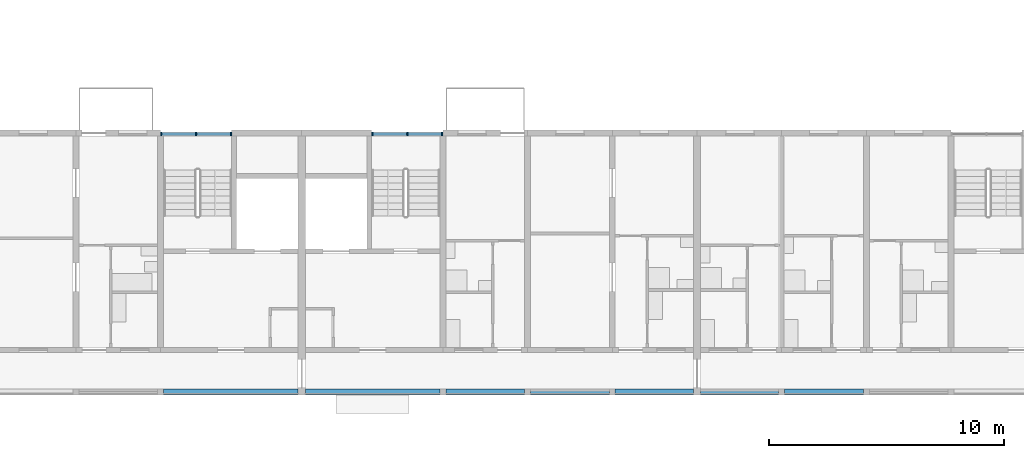
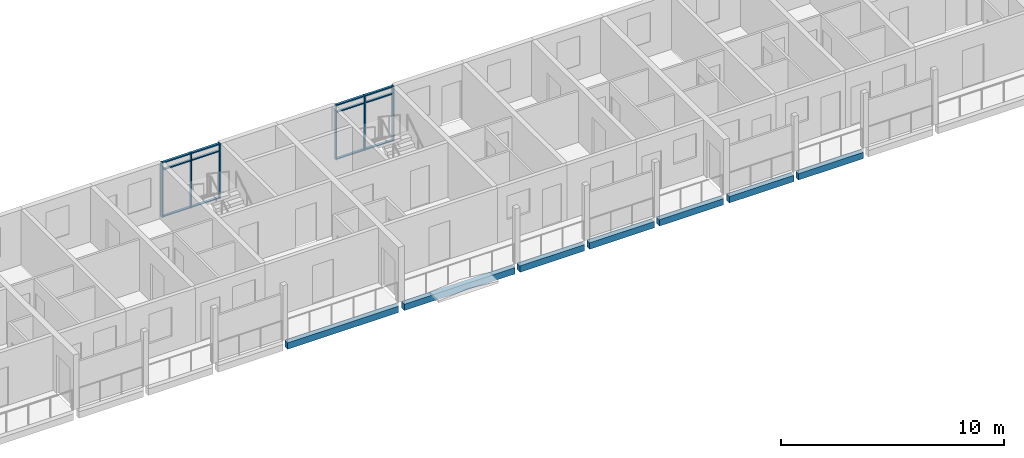
# One storey, part 6 of 100: 18 members, 7 beams, 2 elements without a shape of their own.
"""IFC4 building model written with IfcOpenShell, lengths in metres."""

import ifcopenshell
import ifcopenshell.guid

model = None  # the IFC model being written
_history = None  # IfcOwnerHistory: only IFC2X3 demands one
_inside = {}  # id of a spatial element -> (the spatial element, [elements in it])
_under = {}  # id of a project, library or spatial element -> (it, [spatial elements below it])
_declared = {}  # id of a project -> (the project, [libraries it declares])
_typed = {}  # id of a type object -> (the type object, [elements of that type])
_made_of = {}  # id of a material, layer set ... -> (it, [elements and type objects made of it])


def new_model(schema):
    """Start an empty IFC model of exactly this schema.

    Asked for "IFC4X3", IfcOpenShell would pick the latest addendum, in which some entities
    have other attributes; the version numbers below select the first issue.
    IFC2X3 requires an IfcOwnerHistory on every rooted entity: one is made here for all.
    """
    global model, _history
    if schema == "IFC4X3":
        model = ifcopenshell.file(schema_version=(4, 3, 0, 0))
    else:
        model = ifcopenshell.file(schema=schema)
    _inside.clear()
    _under.clear()
    _declared.clear()
    _typed.clear()
    _made_of.clear()
    _history = None
    if model.schema == "IFC2X3":
        org = make("IfcOrganization", Name="unknown")
        user = make(
            "IfcPersonAndOrganization",
            ThePerson=make("IfcPerson", FamilyName="unknown"),
            TheOrganization=org,
        )
        app = make(
            "IfcApplication",
            ApplicationDeveloper=org,
            Version="unknown",
            ApplicationFullName="unknown",
            ApplicationIdentifier="unknown",
        )
        _history = make(
            "IfcOwnerHistory",
            OwningUser=user,
            OwningApplication=app,
            ChangeAction="ADDED",
            CreationDate=0,
        )
    return model


def make(cls, **values):
    """One entity of the class cls with the attributes given. An attribute that is None is left unset."""
    return model.create_entity(
        cls, **{name: value for name, value in values.items() if value is not None}
    )


def rooted(cls, **values):
    """An entity with a GlobalId (a new one), such as an element, a storey or a relation."""
    return make(cls, GlobalId=ifcopenshell.guid.new(), OwnerHistory=_history, **values)


def si_unit(unit_type, name, prefix=None):
    """IfcSIUnit, for example si_unit("LENGTHUNIT", "METRE", prefix="MILLI")."""
    return make("IfcSIUnit", UnitType=unit_type, Prefix=prefix, Name=name)


def assignment(units):
    """IfcUnitAssignment: the units of a project."""
    return None if units is None else make("IfcUnitAssignment", Units=units)


def point(xyz):
    """IfcCartesianPoint."""
    return None if xyz is None else make("IfcCartesianPoint", Coordinates=xyz)


def direction(xyz):
    """IfcDirection."""
    return None if xyz is None else make("IfcDirection", DirectionRatios=xyz)


def frame(location, z_axis=None, x_axis=None):
    """IfcAxis2Placement3D, a coordinate frame: its origin and axes. An axis left out is left unset."""
    return make(
        "IfcAxis2Placement3D",
        Location=point(location),
        Axis=direction(z_axis),
        RefDirection=direction(x_axis),
    )


def frame_2d(location, x_axis=None):
    """IfcAxis2Placement2D, a coordinate frame in the plane: its origin and x axis."""
    return make(
        "IfcAxis2Placement2D", Location=point(location), RefDirection=direction(x_axis)
    )


def origin():
    """The frame at (0, 0, 0) with its axes left unset."""
    return frame((0.0, 0.0, 0.0))


def origin_2d():
    """The frame at (0, 0) in the plane with its x axis left unset."""
    return frame_2d((0.0, 0.0))


def place(relative_to, where):
    """IfcLocalPlacement: puts the frame where relative to a parent placement (None: the world)."""
    return make(
        "IfcLocalPlacement", PlacementRelTo=relative_to, RelativePlacement=where
    )


def context(
    kind, dimensions, precision=None, world=None, true_north=None, identifier=None
):
    """IfcGeometricRepresentationContext, for example the 3D "Model" context."""
    return make(
        "IfcGeometricRepresentationContext",
        ContextIdentifier=identifier,
        ContextType=kind,
        CoordinateSpaceDimension=dimensions,
        Precision=precision,
        WorldCoordinateSystem=world,
        TrueNorth=true_north,
    )


def subcontext(parent, identifier, kind, view, scale=None):
    """IfcGeometricRepresentationSubContext, for example "Body" below "Model"."""
    return make(
        "IfcGeometricRepresentationSubContext",
        ContextIdentifier=identifier,
        ContextType=kind,
        ParentContext=parent,
        TargetScale=scale,
        TargetView=view,
    )


def project(units=None, contexts=None):
    """IfcProject with its units and contexts."""
    return rooted(
        "IfcProject",
        Name="project",
        RepresentationContexts=contexts,
        UnitsInContext=assignment(units),
    )


def spatial(cls, under=None, at=None, **own):
    """A site, building, storey or space (cls), placed at a placement, below another one or the project."""
    s = rooted(cls, ObjectPlacement=at, **own)
    if under is not None:
        _under.setdefault(under.id(), (under, []))[1].append(s)
    return s


def profile(cls, at=None, kind="AREA", **sizes):
    """A parametric profile (cls). Its sizes go by their IFC names, for example OverallWidth=200.0."""
    return make(cls, ProfileType=kind, Position=at, **sizes)


def rectangle(**sizes):
    """IfcRectangleProfileDef."""
    return profile("IfcRectangleProfileDef", **sizes)


def extrude(swept, where, along, depth):
    """IfcExtrudedAreaSolid: the profile swept, set in the frame where, extruded along a direction by depth."""
    return make(
        "IfcExtrudedAreaSolid",
        SweptArea=swept,
        Position=where,
        ExtrudedDirection=direction(along),
        Depth=depth,
    )


def shape(context_of_items, identifier, shape_type, items):
    """IfcShapeRepresentation: the items that make up one representation, for example the "Body"."""
    return make(
        "IfcShapeRepresentation",
        ContextOfItems=context_of_items,
        RepresentationIdentifier=identifier,
        RepresentationType=shape_type,
        Items=items,
    )


def material(Name=None, Category=None):
    """IfcMaterial."""
    return make("IfcMaterial", Name=Name, Category=Category)


def material_profile(
    of_material, cross_section, Name=None, Category=None, Priority=None
):
    """IfcMaterialProfile: a cross section and its material."""
    return make(
        "IfcMaterialProfile",
        Name=Name,
        Material=of_material,
        Profile=cross_section,
        Priority=Priority,
        Category=Category,
    )


def profile_set(profiles, Name=None, composite=None):
    """IfcMaterialProfileSet."""
    return make(
        "IfcMaterialProfileSet",
        Name=Name,
        MaterialProfiles=profiles,
        CompositeProfile=composite,
    )


def made_of(thing, what):
    """Note that an element or type object is made of a material, layer set ...; save() writes the relation."""
    if what is not None:
        _made_of.setdefault(what.id(), (what, []))[1].append(thing)
    return thing


def type_object(cls, material=None, **own):
    """A type object (cls), such as IfcWallType, which elements share."""
    return made_of(rooted(cls, **own), material)


def element(
    cls,
    number,
    at=None,
    inside=None,
    cuts=None,
    type_object=None,
    material=None,
    context=None,
    identifier="Body",
    shape_type=None,
    held_by="IfcProductDefinitionShape",
    body=None,
    shapes=None,
    **own,
):
    """One element of the class cls, such as IfcWall. Its Tag is "e" and its number.

    at: its placement. inside: the storey or other place that contains it. cuts: it is an
    opening in that element (IfcRelVoidsElement). A single representation is given by context,
    identifier, shape_type and body (its items); several are given by shapes. held_by: the class
    of the entity that holds the representations. save() writes the other relations.
    """
    e = rooted(cls, Tag="e%d" % number, ObjectPlacement=at, **own)
    if body is not None:
        shapes = [shape(context, identifier, shape_type, body)]
    if shapes is not None:
        e.Representation = make(held_by, Representations=shapes)
    if inside is not None:
        _inside.setdefault(inside.id(), (inside, []))[1].append(e)
    if cuts is not None:
        rooted(
            "IfcRelVoidsElement", RelatingBuildingElement=cuts, RelatedOpeningElement=e
        )
    if type_object is not None:
        _typed.setdefault(type_object.id(), (type_object, []))[1].append(e)
    return made_of(e, material)


def aggregate(whole, parts):
    """IfcRelAggregates: a whole, such as a stair, and the parts it consists of."""
    return rooted("IfcRelAggregates", RelatingObject=whole, RelatedObjects=parts)


def save(model, path):
    """Write the relations noted so far, then the file.

    IfcRelAggregates (storeys below a building ...), IfcRelContainedInSpatialStructure (elements
    in a storey), IfcRelDefinesByType, IfcRelAssociatesMaterial and IfcRelDeclares: one each for
    every whole, place, type object, material and project.
    """
    for whole, parts in _under.values():
        aggregate(whole, parts)
    for where, things in _inside.values():
        rooted(
            "IfcRelContainedInSpatialStructure",
            RelatedElements=things,
            RelatingStructure=where,
        )
    for kind, things in _typed.values():
        rooted("IfcRelDefinesByType", RelatedObjects=things, RelatingType=kind)
    for what, things in _made_of.values():
        rooted("IfcRelAssociatesMaterial", RelatedObjects=things, RelatingMaterial=what)
    for by, libraries in _declared.values():
        rooted("IfcRelDeclares", RelatingContext=by, RelatedDefinitions=libraries)
    model.write(path)


model = new_model("IFC4")

# Units and contexts
model_context = context("Model", 3, precision=1e-05, world=origin(), true_north=direction((0.0, 1.0)))
body_context = subcontext(model_context, "Body", "Model", "MODEL_VIEW")
ifc_project = project(units=[si_unit("LENGTHUNIT", "METRE"), si_unit("AREAUNIT", "SQUARE_METRE"), si_unit("VOLUMEUNIT", "CUBIC_METRE"), si_unit("PLANEANGLEUNIT", "RADIAN"), si_unit("MASSUNIT", "GRAM", prefix="KILO")], contexts=[model_context])

# Site, building, storey
site_placement = place(None, origin())
site = spatial("IfcSite", under=ifc_project, at=site_placement, CompositionType="ELEMENT")
building_placement = place(site_placement, origin())
building = spatial("IfcBuilding", under=site, at=building_placement, Name="Ridgestep Commons", CompositionType="ELEMENT")
storey_placement = place(building_placement, frame((0.0, 0.0, 9.0)))
storey = spatial("IfcBuildingStorey", under=building, at=storey_placement, Name="L03", CompositionType="ELEMENT", Elevation=9.0)

# Beams
ifc_material_1 = material(Name="Precast concrete C40/50", Category="concrete")
ifc_material_profile_1 = material_profile(ifc_material_1, rectangle(XDim=0.25, YDim=0.35009765625, at=origin_2d()), Name="PC 250x350")
ifc_profile_set_1 = profile_set([ifc_material_profile_1], Name="Precast concrete C40/50")
beam_type = type_object("IfcBeamType", Name="Loggia edge beam 250 x 350", PredefinedType="SPANDREL", material=ifc_profile_set_1)
beam_1_placement = place(storey_placement, frame((39.72509765625, 11.875, -0.375), z_axis=(1.0, 0.0, 0.0), x_axis=(0.0, 1.0, 0.0)))
element("IfcBeam", 1, at=beam_1_placement, inside=storey, type_object=beam_type, Name="Loggia edge beam A2C L03", PredefinedType="SPANDREL", context=body_context, shape_type="SweptSolid", body=[
    extrude(rectangle(XDim=0.25, YDim=0.35009765625, at=origin_2d()), origin(), (0.0, 0.0, 1.0), 5.724853515625),
])
beam_2_placement = place(storey_placement, frame((45.75, 11.875, -0.375), z_axis=(1.0, 0.0, 0.0), x_axis=(0.0, 1.0, 0.0)))
element("IfcBeam", 2, at=beam_2_placement, inside=storey, type_object=beam_type, Name="Loggia edge beam A3C L03", PredefinedType="SPANDREL", context=body_context, shape_type="SweptSolid", body=[
    extrude(rectangle(XDim=0.25, YDim=0.35009765625, at=origin_2d()), origin(), (0.0, 0.0, 1.0), 5.72509765625),
])
beam_3_placement = place(storey_placement, frame((51.72509765625, 11.875, -0.375), z_axis=(1.0, 0.0, 0.0), x_axis=(0.0, 1.0, 0.0)))
element("IfcBeam", 3, at=beam_3_placement, inside=storey, type_object=beam_type, Name="Loggia edge beam A3T3 L03", PredefinedType="SPANDREL", context=body_context, shape_type="SweptSolid", body=[
    extrude(rectangle(XDim=0.25, YDim=0.35009765625, at=origin_2d()), origin(), (0.0, 0.0, 1.0), 3.349853515625),
])
beam_4_placement = place(storey_placement, frame((55.324951171875, 11.875, -0.375), z_axis=(1.0, 0.0, 0.0), x_axis=(0.0, 1.0, 0.0)))
element("IfcBeam", 4, at=beam_4_placement, inside=storey, type_object=beam_type, Name="Loggia edge beam A3T2 L03", PredefinedType="SPANDREL", context=body_context, shape_type="SweptSolid", body=[
    extrude(rectangle(XDim=0.25, YDim=0.35009765625, at=origin_2d()), origin(), (0.0, 0.0, 1.0), 3.35009765625),
])
for number, where, z_axis, x_axis, name in (
    (5, (58.925048828125, 11.875, -0.375), (1.0, 0.0, 0.0), (0.0, 1.0, 0.0), "Loggia edge beam A3T1 L03"),
    (6, (62.550048828125, 11.875, -0.375), (1.0, 0.0, 0.0), (0.0, 1.0, 0.0), "Loggia edge beam A4T1 L03"),
):
    element("IfcBeam", number, at=place(storey_placement, frame(where, z_axis=z_axis, x_axis=x_axis)), inside=storey, type_object=beam_type, Name=name, PredefinedType="SPANDREL", context=body_context, shape_type="SweptSolid", body=[
        extrude(rectangle(XDim=0.25, YDim=0.35009765625, at=origin_2d()), origin(), (0.0, 0.0, 1.0), 3.324951171875),
    ])
beam_5_placement = place(storey_placement, frame((66.125, 11.875, -0.375), z_axis=(1.0, 0.0, 0.0), x_axis=(0.0, 1.0, 0.0)))
element("IfcBeam", 7, at=beam_5_placement, inside=storey, type_object=beam_type, Name="Loggia edge beam A4T2 L03", PredefinedType="SPANDREL", context=body_context, shape_type="SweptSolid", body=[
    extrude(rectangle(XDim=0.25, YDim=0.35009765625, at=origin_2d()), origin(), (0.0, 0.0, 1.0), 3.35009765625),
])

# Curtain wall, members
ifc_material_2 = material(Name="Aluminium 6063-T6 and glass", Category="aluminium")
curtain_wall_type = type_object("IfcCurtainWallType", Name="Curtain wall stair strip", PredefinedType="NOTDEFINED", material=ifc_material_2)
curtain_wall_1_placement = place(storey_placement, origin())
curtain_wall_1 = element("IfcCurtainWall", 8, at=curtain_wall_1_placement, inside=storey, type_object=curtain_wall_type, Name="Curtain wall A2C level 03", PredefinedType="NOTDEFINED")
ifc_material_3 = material(Name="Aluminium 6063-T6", Category="aluminium")
ifc_material_profile_2 = material_profile(ifc_material_3, rectangle(XDim=0.159912109375, YDim=0.06005859375, at=origin_2d()), Name="Mullion 60 x 160")
ifc_profile_set_2 = profile_set([ifc_material_profile_2], Name="Aluminium 6063-T6")
member_type_1 = type_object("IfcMemberType", Name="Mullion 60 x 160", PredefinedType="MULLION", material=ifc_profile_set_2)
member_1_placement = place(storey_placement, frame((39.6298828125, 22.830078125, 0.0), z_axis=(0.0, 0.0, 1.0), x_axis=(0.0, 1.0, 0.0)))
member_1 = element("IfcMember", 9, at=member_1_placement, type_object=member_type_1, Name="CW1 mullion 1", PredefinedType="MULLION", context=body_context, shape_type="SweptSolid", body=[
    extrude(rectangle(XDim=0.159912109375, YDim=0.06005859375, at=origin_2d()), origin(), (0.0, 0.0, 1.0), 3.0),
])
member_2_placement = place(storey_placement, frame((41.112548828125, 22.830078125, 0.0), z_axis=(0.0, 0.0, 1.0), x_axis=(0.0, 1.0, 0.0)))
member_2 = element("IfcMember", 10, at=member_2_placement, type_object=member_type_1, Name="CW1 mullion 2", PredefinedType="MULLION", context=body_context, shape_type="SweptSolid", body=[
    extrude(rectangle(XDim=0.159912109375, YDim=0.06005859375, at=origin_2d()), origin(), (0.0, 0.0, 1.0), 3.0),
])
member_3_placement = place(storey_placement, frame((42.594970703125, 22.830078125, 0.0), z_axis=(0.0, 0.0, 1.0), x_axis=(0.0, 1.0, 0.0)))
member_3 = element("IfcMember", 11, at=member_3_placement, type_object=member_type_1, Name="CW1 mullion 3", PredefinedType="MULLION", context=body_context, shape_type="SweptSolid", body=[
    extrude(rectangle(XDim=0.159912109375, YDim=0.06005859375, at=origin_2d()), origin(), (0.0, 0.0, 1.0), 3.0),
])

curtain_wall_2_placement = place(storey_placement, origin())
curtain_wall_2 = element("IfcCurtainWall", 12, at=curtain_wall_2_placement, inside=storey, type_object=curtain_wall_type, Name="Curtain wall A3C level 03", PredefinedType="NOTDEFINED")
member_4_placement = place(storey_placement, frame((48.60498046875, 22.830078125, 0.0), z_axis=(0.0, 0.0, 1.0), x_axis=(0.0, 1.0, 0.0)))
member_4 = element("IfcMember", 13, at=member_4_placement, type_object=member_type_1, Name="CW1 mullion 1", PredefinedType="MULLION", context=body_context, shape_type="SweptSolid", body=[
    extrude(rectangle(XDim=0.159912109375, YDim=0.06005859375, at=origin_2d()), origin(), (0.0, 0.0, 1.0), 3.0),
])
member_5_placement = place(storey_placement, frame((50.08740234375, 22.830078125, 0.0), z_axis=(0.0, 0.0, 1.0), x_axis=(0.0, 1.0, 0.0)))
member_5 = element("IfcMember", 14, at=member_5_placement, type_object=member_type_1, Name="CW1 mullion 2", PredefinedType="MULLION", context=body_context, shape_type="SweptSolid", body=[
    extrude(rectangle(XDim=0.159912109375, YDim=0.06005859375, at=origin_2d()), origin(), (0.0, 0.0, 1.0), 3.0),
])
member_6_placement = place(storey_placement, frame((51.570068359375, 22.830078125, 0.0), z_axis=(0.0, 0.0, 1.0), x_axis=(0.0, 1.0, 0.0)))
member_6 = element("IfcMember", 15, at=member_6_placement, type_object=member_type_1, Name="CW1 mullion 3", PredefinedType="MULLION", context=body_context, shape_type="SweptSolid", body=[
    extrude(rectangle(XDim=0.159912109375, YDim=0.06005859375, at=origin_2d()), origin(), (0.0, 0.0, 1.0), 3.0),
])

# Member
ifc_material_4 = material(Name="Aluminium 6063-T6", Category="aluminium")
ifc_material_profile_3 = material_profile(ifc_material_4, rectangle(XDim=0.1201171875, YDim=0.06005859375, at=origin_2d()), Name="Transom 60 x 120")
ifc_profile_set_3 = profile_set([ifc_material_profile_3], Name="Aluminium 6063-T6")
member_type_2 = type_object("IfcMemberType", Name="Transom 60 x 120", PredefinedType="USERDEFINED", material=ifc_profile_set_3)
member_7_placement = place(storey_placement, frame((39.659912109375, 22.830078125, 0.030029296875), z_axis=(1.0, 0.0, 0.0), x_axis=(0.0, 1.0, 0.0)))
member_7 = element("IfcMember", 16, at=member_7_placement, type_object=member_type_2, Name="CW1 transom 1.1", ObjectType="TRANSOM", PredefinedType="USERDEFINED", context=body_context, shape_type="SweptSolid", body=[
    extrude(rectangle(XDim=0.1201171875, YDim=0.06005859375, at=origin_2d()), origin(), (0.0, 0.0, 1.0), 1.422607421875),
])

member_8_placement = place(storey_placement, frame((39.659912109375, 22.830078125, 2.590087890625), z_axis=(1.0, 0.0, 0.0), x_axis=(0.0, 1.0, 0.0)))
member_8 = element("IfcMember", 17, at=member_8_placement, type_object=member_type_2, Name="CW1 transom 1.2", ObjectType="TRANSOM", PredefinedType="USERDEFINED", context=body_context, shape_type="SweptSolid", body=[
    extrude(rectangle(XDim=0.1201171875, YDim=0.06005859375, at=origin_2d()), origin(), (0.0, 0.0, 1.0), 1.422607421875),
])

member_9_placement = place(storey_placement, frame((39.659912109375, 22.830078125, 2.969970703125), z_axis=(1.0, 0.0, 0.0), x_axis=(0.0, 1.0, 0.0)))
member_9 = element("IfcMember", 18, at=member_9_placement, type_object=member_type_2, Name="CW1 transom 1.3", ObjectType="TRANSOM", PredefinedType="USERDEFINED", context=body_context, shape_type="SweptSolid", body=[
    extrude(rectangle(XDim=0.1201171875, YDim=0.06005859375, at=origin_2d()), origin(), (0.0, 0.0, 1.0), 1.422607421875),
])

member_10_placement = place(storey_placement, frame((41.142578125, 22.830078125, 0.030029296875), z_axis=(1.0, 0.0, 0.0), x_axis=(0.0, 1.0, 0.0)))
member_10 = element("IfcMember", 19, at=member_10_placement, type_object=member_type_2, Name="CW1 transom 2.1", ObjectType="TRANSOM", PredefinedType="USERDEFINED", context=body_context, shape_type="SweptSolid", body=[
    extrude(rectangle(XDim=0.1201171875, YDim=0.06005859375, at=origin_2d()), origin(), (0.0, 0.0, 1.0), 1.42236328125),
])

member_11_placement = place(storey_placement, frame((41.142578125, 22.830078125, 2.590087890625), z_axis=(1.0, 0.0, 0.0), x_axis=(0.0, 1.0, 0.0)))
member_11 = element("IfcMember", 20, at=member_11_placement, type_object=member_type_2, Name="CW1 transom 2.2", ObjectType="TRANSOM", PredefinedType="USERDEFINED", context=body_context, shape_type="SweptSolid", body=[
    extrude(rectangle(XDim=0.1201171875, YDim=0.06005859375, at=origin_2d()), origin(), (0.0, 0.0, 1.0), 1.42236328125),
])

member_12_placement = place(storey_placement, frame((41.142578125, 22.830078125, 2.969970703125), z_axis=(1.0, 0.0, 0.0), x_axis=(0.0, 1.0, 0.0)))
member_12 = element("IfcMember", 21, at=member_12_placement, type_object=member_type_2, Name="CW1 transom 2.3", ObjectType="TRANSOM", PredefinedType="USERDEFINED", context=body_context, shape_type="SweptSolid", body=[
    extrude(rectangle(XDim=0.1201171875, YDim=0.06005859375, at=origin_2d()), origin(), (0.0, 0.0, 1.0), 1.42236328125),
])

aggregate(curtain_wall_1, [member_1, member_2, member_3, member_7, member_8, member_9, member_10, member_11, member_12])

member_13_placement = place(storey_placement, frame((48.635009765625, 22.830078125, 0.030029296875), z_axis=(1.0, 0.0, 0.0), x_axis=(0.0, 1.0, 0.0)))
member_13 = element("IfcMember", 22, at=member_13_placement, type_object=member_type_2, Name="CW1 transom 1.1", ObjectType="TRANSOM", PredefinedType="USERDEFINED", context=body_context, shape_type="SweptSolid", body=[
    extrude(rectangle(XDim=0.1201171875, YDim=0.06005859375, at=origin_2d()), origin(), (0.0, 0.0, 1.0), 1.422607421875),
])

member_14_placement = place(storey_placement, frame((48.635009765625, 22.830078125, 2.590087890625), z_axis=(1.0, 0.0, 0.0), x_axis=(0.0, 1.0, 0.0)))
member_14 = element("IfcMember", 23, at=member_14_placement, type_object=member_type_2, Name="CW1 transom 1.2", ObjectType="TRANSOM", PredefinedType="USERDEFINED", context=body_context, shape_type="SweptSolid", body=[
    extrude(rectangle(XDim=0.1201171875, YDim=0.06005859375, at=origin_2d()), origin(), (0.0, 0.0, 1.0), 1.422607421875),
])

member_15_placement = place(storey_placement, frame((48.635009765625, 22.830078125, 2.969970703125), z_axis=(1.0, 0.0, 0.0), x_axis=(0.0, 1.0, 0.0)))
member_15 = element("IfcMember", 24, at=member_15_placement, type_object=member_type_2, Name="CW1 transom 1.3", ObjectType="TRANSOM", PredefinedType="USERDEFINED", context=body_context, shape_type="SweptSolid", body=[
    extrude(rectangle(XDim=0.1201171875, YDim=0.06005859375, at=origin_2d()), origin(), (0.0, 0.0, 1.0), 1.422607421875),
])

member_16_placement = place(storey_placement, frame((50.117431640625, 22.830078125, 0.030029296875), z_axis=(1.0, 0.0, 0.0), x_axis=(0.0, 1.0, 0.0)))
member_16 = element("IfcMember", 25, at=member_16_placement, type_object=member_type_2, Name="CW1 transom 2.1", ObjectType="TRANSOM", PredefinedType="USERDEFINED", context=body_context, shape_type="SweptSolid", body=[
    extrude(rectangle(XDim=0.1201171875, YDim=0.06005859375, at=origin_2d()), origin(), (0.0, 0.0, 1.0), 1.422607421875),
])

member_17_placement = place(storey_placement, frame((50.117431640625, 22.830078125, 2.590087890625), z_axis=(1.0, 0.0, 0.0), x_axis=(0.0, 1.0, 0.0)))
member_17 = element("IfcMember", 26, at=member_17_placement, type_object=member_type_2, Name="CW1 transom 2.2", ObjectType="TRANSOM", PredefinedType="USERDEFINED", context=body_context, shape_type="SweptSolid", body=[
    extrude(rectangle(XDim=0.1201171875, YDim=0.06005859375, at=origin_2d()), origin(), (0.0, 0.0, 1.0), 1.422607421875),
])

member_18_placement = place(storey_placement, frame((50.117431640625, 22.830078125, 2.969970703125), z_axis=(1.0, 0.0, 0.0), x_axis=(0.0, 1.0, 0.0)))
member_18 = element("IfcMember", 27, at=member_18_placement, type_object=member_type_2, Name="CW1 transom 2.3", ObjectType="TRANSOM", PredefinedType="USERDEFINED", context=body_context, shape_type="SweptSolid", body=[
    extrude(rectangle(XDim=0.1201171875, YDim=0.06005859375, at=origin_2d()), origin(), (0.0, 0.0, 1.0), 1.422607421875),
])

aggregate(curtain_wall_2, [member_4, member_5, member_6, member_13, member_14, member_15, member_16, member_17, member_18])

save(model, "model.ifc")
